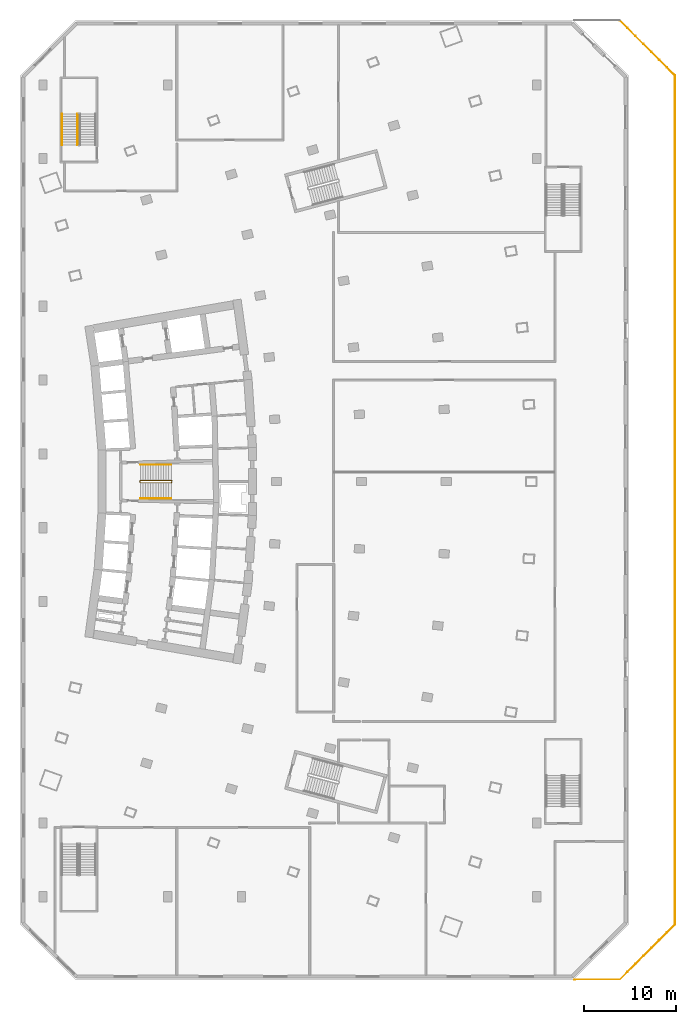
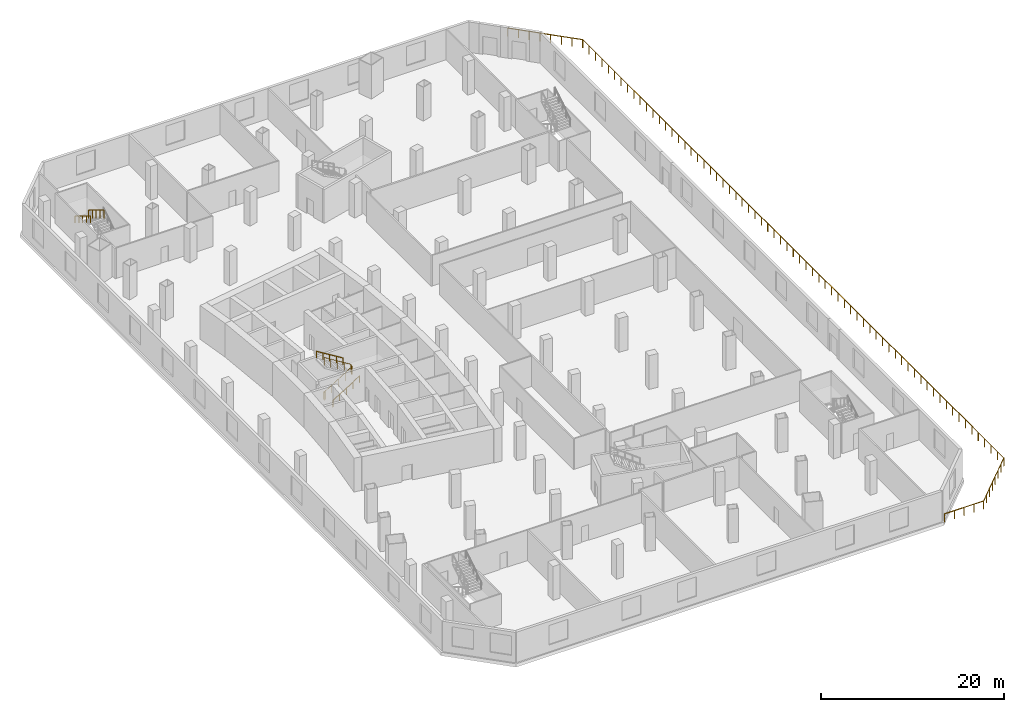
# One storey, part 12 of 14: 6 railings.
"""IFC4 building model written with IfcOpenShell, lengths in metres."""

from ifc_helpers import new_model, si_unit, direction, frame, origin, origin_with_axes, origin_2d, place, context, subcontext, project, spatial, rectangle, extrude, material, type_object, element, save


model = new_model("IFC4")

# Units and contexts
model_context = context("Model", 3, precision=1e-05, world=origin(), true_north=direction((0.0, 1.0)))
body_context = subcontext(model_context, "Body", "Model", "MODEL_VIEW")
ifc_project = project(units=[si_unit("LENGTHUNIT", "METRE"), si_unit("AREAUNIT", "SQUARE_METRE"), si_unit("VOLUMEUNIT", "CUBIC_METRE"), si_unit("PLANEANGLEUNIT", "RADIAN"), si_unit("MASSUNIT", "GRAM", prefix="KILO")], contexts=[model_context])

# Site, building, storey
site_placement = place(None, origin())
site = spatial("IfcSite", under=ifc_project, at=site_placement, CompositionType="ELEMENT")
building_placement = place(site_placement, origin())
building = spatial("IfcBuilding", under=site, at=building_placement, Name="Alderwake Tower", CompositionType="ELEMENT")
storey_placement = place(building_placement, frame((0.0, 0.0, 23.0)))
storey = spatial("IfcBuildingStorey", under=building, at=storey_placement, Name="L04", CompositionType="ELEMENT", Elevation=23.0)

# Railings
ifc_material_1 = material(Name="Stainless steel 316 rail and posts", Category="steel")
railing_type_1 = type_object("IfcRailingType", Name="Balcony guard 1100", PredefinedType="GUARDRAIL", material=ifc_material_1)
railing_1_placement = place(storey_placement, frame((73.0, 111.0, 0.0)))
element("IfcRailing", 1, at=railing_1_placement, inside=storey, type_object=railing_type_1, Name="Guard terrace TR-L03-1", PredefinedType="GUARDRAIL", context=body_context, shape_type="SweptSolid", body=[
    extrude(rectangle(XDim=0.048095703125, YDim=0.048095703125, at=origin_2d()), frame((0.0, 0.0, 1.076171875), z_axis=(0.707106781187, -0.707106781187, 0.0), x_axis=(0.707106781187, 0.707106781187, 0.0)), (0.0, 0.0, 1.0), 8.4853515625),
    extrude(rectangle(XDim=0.048095703125, YDim=0.048095703125, at=origin_2d()), frame((6.0, -6.0, 1.076171875), z_axis=(0.0, -1.0, 0.0), x_axis=(1.0, 0.0, 0.0)), (0.0, 0.0, 1.0), 92.0),
    extrude(rectangle(XDim=0.048095703125, YDim=0.048095703125, at=origin_2d()), frame((6.0, -98.0, 1.076171875), z_axis=(-0.707106781187, -0.707106781187, 0.0), x_axis=(0.707106781187, -0.707106781187, 0.0)), (0.0, 0.0, 1.0), 8.4853515625),
    extrude(rectangle(XDim=0.048095703125, YDim=0.048095703125, at=origin_2d()), frame((0.0, -104.0, 1.076171875), z_axis=(-1.0, 0.0, 0.0), x_axis=(0.0, -1.0, 0.0)), (0.0, 0.0, 1.0), 4.92919921875),
    extrude(rectangle(XDim=0.0419921875, YDim=0.0419921875, at=origin_2d()), frame((0.0, 0.0, 0.0), z_axis=(0.0, 0.0, 1.0), x_axis=(0.707106781187, -0.707106781187, 0.0)), (0.0, 0.0, 1.0), 1.052001953125),
    extrude(rectangle(XDim=0.0419921875, YDim=0.0419921875, at=origin_2d()), frame((0.857177734375, -0.857177734375, 0.0), z_axis=(0.0, 0.0, 1.0), x_axis=(0.707106781187, -0.707106781187, 0.0)), (0.0, 0.0, 1.0), 1.052001953125),
    extrude(rectangle(XDim=0.0419921875, YDim=0.0419921875, at=origin_2d()), frame((1.71435546875, -1.71435546875, 0.0), z_axis=(0.0, 0.0, 1.0), x_axis=(0.707106781187, -0.707106781187, 0.0)), (0.0, 0.0, 1.0), 1.052001953125),
    extrude(rectangle(XDim=0.0419921875, YDim=0.0419921875, at=origin_2d()), frame((2.571533203125, -2.571533203125, 0.0), z_axis=(0.0, 0.0, 1.0), x_axis=(0.707106781187, -0.707106781187, 0.0)), (0.0, 0.0, 1.0), 1.052001953125),
    extrude(rectangle(XDim=0.0419921875, YDim=0.0419921875, at=origin_2d()), frame((3.428466796875, -3.428466796875, 0.0), z_axis=(0.0, 0.0, 1.0), x_axis=(0.707106781187, -0.707106781187, 0.0)), (0.0, 0.0, 1.0), 1.052001953125),
    extrude(rectangle(XDim=0.0419921875, YDim=0.0419921875, at=origin_2d()), frame((4.28564453125, -4.28564453125, 0.0), z_axis=(0.0, 0.0, 1.0), x_axis=(0.707106781187, -0.707106781187, 0.0)), (0.0, 0.0, 1.0), 1.052001953125),
    extrude(rectangle(XDim=0.0419921875, YDim=0.0419921875, at=origin_2d()), frame((5.142822265625, -5.142822265625, 0.0), z_axis=(0.0, 0.0, 1.0), x_axis=(0.707106781187, -0.707106781187, 0.0)), (0.0, 0.0, 1.0), 1.052001953125),
    extrude(rectangle(XDim=0.0419921875, YDim=0.0419921875, at=origin_2d()), frame((6.0, -6.0, 0.0), z_axis=(0.0, 0.0, 1.0), x_axis=(0.0, -1.0, 0.0)), (0.0, 0.0, 1.0), 1.052001953125),
    extrude(rectangle(XDim=0.0419921875, YDim=0.0419921875, at=origin_2d()), frame((6.0, -7.39404296875, 0.0), z_axis=(0.0, 0.0, 1.0), x_axis=(0.0, -1.0, 0.0)), (0.0, 0.0, 1.0), 1.052001953125),
    extrude(rectangle(XDim=0.0419921875, YDim=0.0419921875, at=origin_2d()), frame((6.0, -8.787841796875, 0.0), z_axis=(0.0, 0.0, 1.0), x_axis=(0.0, -1.0, 0.0)), (0.0, 0.0, 1.0), 1.052001953125),
    extrude(rectangle(XDim=0.0419921875, YDim=0.0419921875, at=origin_2d()), frame((6.0, -10.181884765625, 0.0), z_axis=(0.0, 0.0, 1.0), x_axis=(0.0, -1.0, 0.0)), (0.0, 0.0, 1.0), 1.052001953125),
    extrude(rectangle(XDim=0.0419921875, YDim=0.0419921875, at=origin_2d()), frame((6.0, -11.57568359375, 0.0), z_axis=(0.0, 0.0, 1.0), x_axis=(0.0, -1.0, 0.0)), (0.0, 0.0, 1.0), 1.052001953125),
    extrude(rectangle(XDim=0.0419921875, YDim=0.0419921875, at=origin_2d()), frame((6.0, -12.9697265625, 0.0), z_axis=(0.0, 0.0, 1.0), x_axis=(0.0, -1.0, 0.0)), (0.0, 0.0, 1.0), 1.052001953125),
    extrude(rectangle(XDim=0.0419921875, YDim=0.0419921875, at=origin_2d()), frame((6.0, -14.363525390625, 0.0), z_axis=(0.0, 0.0, 1.0), x_axis=(0.0, -1.0, 0.0)), (0.0, 0.0, 1.0), 1.052001953125),
    extrude(rectangle(XDim=0.0419921875, YDim=0.0419921875, at=origin_2d()), frame((6.0, -15.757568359375, 0.0), z_axis=(0.0, 0.0, 1.0), x_axis=(0.0, -1.0, 0.0)), (0.0, 0.0, 1.0), 1.052001953125),
    extrude(rectangle(XDim=0.0419921875, YDim=0.0419921875, at=origin_2d()), frame((6.0, -17.151611328125, 0.0), z_axis=(0.0, 0.0, 1.0), x_axis=(0.0, -1.0, 0.0)), (0.0, 0.0, 1.0), 1.052001953125),
    extrude(rectangle(XDim=0.0419921875, YDim=0.0419921875, at=origin_2d()), frame((6.0, -18.54541015625, 0.0), z_axis=(0.0, 0.0, 1.0), x_axis=(0.0, -1.0, 0.0)), (0.0, 0.0, 1.0), 1.052001953125),
    extrude(rectangle(XDim=0.0419921875, YDim=0.0419921875, at=origin_2d()), frame((6.0, -19.939453125, 0.0), z_axis=(0.0, 0.0, 1.0), x_axis=(0.0, -1.0, 0.0)), (0.0, 0.0, 1.0), 1.052001953125),
    extrude(rectangle(XDim=0.0419921875, YDim=0.0419921875, at=origin_2d()), frame((6.0, -21.333251953125, 0.0), z_axis=(0.0, 0.0, 1.0), x_axis=(0.0, -1.0, 0.0)), (0.0, 0.0, 1.0), 1.052001953125),
    extrude(rectangle(XDim=0.0419921875, YDim=0.0419921875, at=origin_2d()), frame((6.0, -22.727294921875, 0.0), z_axis=(0.0, 0.0, 1.0), x_axis=(0.0, -1.0, 0.0)), (0.0, 0.0, 1.0), 1.052001953125),
    extrude(rectangle(XDim=0.0419921875, YDim=0.0419921875, at=origin_2d()), frame((6.0, -24.12109375, 0.0), z_axis=(0.0, 0.0, 1.0), x_axis=(0.0, -1.0, 0.0)), (0.0, 0.0, 1.0), 1.052001953125),
    extrude(rectangle(XDim=0.0419921875, YDim=0.0419921875, at=origin_2d()), frame((6.0, -25.51513671875, 0.0), z_axis=(0.0, 0.0, 1.0), x_axis=(0.0, -1.0, 0.0)), (0.0, 0.0, 1.0), 1.052001953125),
    extrude(rectangle(XDim=0.0419921875, YDim=0.0419921875, at=origin_2d()), frame((6.0, -26.9091796875, 0.0), z_axis=(0.0, 0.0, 1.0), x_axis=(0.0, -1.0, 0.0)), (0.0, 0.0, 1.0), 1.052001953125),
    extrude(rectangle(XDim=0.0419921875, YDim=0.0419921875, at=origin_2d()), frame((6.0, -28.302978515625, 0.0), z_axis=(0.0, 0.0, 1.0), x_axis=(0.0, -1.0, 0.0)), (0.0, 0.0, 1.0), 1.052001953125),
    extrude(rectangle(XDim=0.0419921875, YDim=0.0419921875, at=origin_2d()), frame((6.0, -29.697021484375, 0.0), z_axis=(0.0, 0.0, 1.0), x_axis=(0.0, -1.0, 0.0)), (0.0, 0.0, 1.0), 1.052001953125),
    extrude(rectangle(XDim=0.0419921875, YDim=0.0419921875, at=origin_2d()), frame((6.0, -31.0908203125, 0.0), z_axis=(0.0, 0.0, 1.0), x_axis=(0.0, -1.0, 0.0)), (0.0, 0.0, 1.0), 1.052001953125),
    extrude(rectangle(XDim=0.0419921875, YDim=0.0419921875, at=origin_2d()), frame((6.0, -32.48486328125, 0.0), z_axis=(0.0, 0.0, 1.0), x_axis=(0.0, -1.0, 0.0)), (0.0, 0.0, 1.0), 1.052001953125),
    extrude(rectangle(XDim=0.0419921875, YDim=0.0419921875, at=origin_2d()), frame((6.0, -33.87890625, 0.0), z_axis=(0.0, 0.0, 1.0), x_axis=(0.0, -1.0, 0.0)), (0.0, 0.0, 1.0), 1.052001953125),
    extrude(rectangle(XDim=0.0419921875, YDim=0.0419921875, at=origin_2d()), frame((6.0, -35.272705078125, 0.0), z_axis=(0.0, 0.0, 1.0), x_axis=(0.0, -1.0, 0.0)), (0.0, 0.0, 1.0), 1.052001953125),
    extrude(rectangle(XDim=0.0419921875, YDim=0.0419921875, at=origin_2d()), frame((6.0, -36.666748046875, 0.0), z_axis=(0.0, 0.0, 1.0), x_axis=(0.0, -1.0, 0.0)), (0.0, 0.0, 1.0), 1.052001953125),
    extrude(rectangle(XDim=0.0419921875, YDim=0.0419921875, at=origin_2d()), frame((6.0, -38.060546875, 0.0), z_axis=(0.0, 0.0, 1.0), x_axis=(0.0, -1.0, 0.0)), (0.0, 0.0, 1.0), 1.052001953125),
    extrude(rectangle(XDim=0.0419921875, YDim=0.0419921875, at=origin_2d()), frame((6.0, -39.45458984375, 0.0), z_axis=(0.0, 0.0, 1.0), x_axis=(0.0, -1.0, 0.0)), (0.0, 0.0, 1.0), 1.052001953125),
    extrude(rectangle(XDim=0.0419921875, YDim=0.0419921875, at=origin_2d()), frame((6.0, -40.848388671875, 0.0), z_axis=(0.0, 0.0, 1.0), x_axis=(0.0, -1.0, 0.0)), (0.0, 0.0, 1.0), 1.052001953125),
    extrude(rectangle(XDim=0.0419921875, YDim=0.0419921875, at=origin_2d()), frame((6.0, -42.242431640625, 0.0), z_axis=(0.0, 0.0, 1.0), x_axis=(0.0, -1.0, 0.0)), (0.0, 0.0, 1.0), 1.052001953125),
    extrude(rectangle(XDim=0.0419921875, YDim=0.0419921875, at=origin_2d()), frame((6.0, -43.636474609375, 0.0), z_axis=(0.0, 0.0, 1.0), x_axis=(0.0, -1.0, 0.0)), (0.0, 0.0, 1.0), 1.052001953125),
    extrude(rectangle(XDim=0.0419921875, YDim=0.0419921875, at=origin_2d()), frame((6.0, -45.0302734375, 0.0), z_axis=(0.0, 0.0, 1.0), x_axis=(0.0, -1.0, 0.0)), (0.0, 0.0, 1.0), 1.052001953125),
    extrude(rectangle(XDim=0.0419921875, YDim=0.0419921875, at=origin_2d()), frame((6.0, -46.42431640625, 0.0), z_axis=(0.0, 0.0, 1.0), x_axis=(0.0, -1.0, 0.0)), (0.0, 0.0, 1.0), 1.052001953125),
    extrude(rectangle(XDim=0.0419921875, YDim=0.0419921875, at=origin_2d()), frame((6.0, -47.818115234375, 0.0), z_axis=(0.0, 0.0, 1.0), x_axis=(0.0, -1.0, 0.0)), (0.0, 0.0, 1.0), 1.052001953125),
    extrude(rectangle(XDim=0.0419921875, YDim=0.0419921875, at=origin_2d()), frame((6.0, -49.212158203125, 0.0), z_axis=(0.0, 0.0, 1.0), x_axis=(0.0, -1.0, 0.0)), (0.0, 0.0, 1.0), 1.052001953125),
    extrude(rectangle(XDim=0.0419921875, YDim=0.0419921875, at=origin_2d()), frame((6.0, -50.60595703125, 0.0), z_axis=(0.0, 0.0, 1.0), x_axis=(0.0, -1.0, 0.0)), (0.0, 0.0, 1.0), 1.052001953125),
    extrude(rectangle(XDim=0.0419921875, YDim=0.0419921875, at=origin_2d()), frame((6.0, -52.0, 0.0), z_axis=(0.0, 0.0, 1.0), x_axis=(0.0, -1.0, 0.0)), (0.0, 0.0, 1.0), 1.052001953125),
    extrude(rectangle(XDim=0.0419921875, YDim=0.0419921875, at=origin_2d()), frame((6.0, -53.39404296875, 0.0), z_axis=(0.0, 0.0, 1.0), x_axis=(0.0, -1.0, 0.0)), (0.0, 0.0, 1.0), 1.052001953125),
    extrude(rectangle(XDim=0.0419921875, YDim=0.0419921875, at=origin_2d()), frame((6.0, -54.787841796875, 0.0), z_axis=(0.0, 0.0, 1.0), x_axis=(0.0, -1.0, 0.0)), (0.0, 0.0, 1.0), 1.052001953125),
    extrude(rectangle(XDim=0.0419921875, YDim=0.0419921875, at=origin_2d()), frame((6.0, -56.181884765625, 0.0), z_axis=(0.0, 0.0, 1.0), x_axis=(0.0, -1.0, 0.0)), (0.0, 0.0, 1.0), 1.052001953125),
    extrude(rectangle(XDim=0.0419921875, YDim=0.0419921875, at=origin_2d()), frame((6.0, -57.57568359375, 0.0), z_axis=(0.0, 0.0, 1.0), x_axis=(0.0, -1.0, 0.0)), (0.0, 0.0, 1.0), 1.052001953125),
    extrude(rectangle(XDim=0.0419921875, YDim=0.0419921875, at=origin_2d()), frame((6.0, -58.9697265625, 0.0), z_axis=(0.0, 0.0, 1.0), x_axis=(0.0, -1.0, 0.0)), (0.0, 0.0, 1.0), 1.052001953125),
    extrude(rectangle(XDim=0.0419921875, YDim=0.0419921875, at=origin_2d()), frame((6.0, -60.363525390625, 0.0), z_axis=(0.0, 0.0, 1.0), x_axis=(0.0, -1.0, 0.0)), (0.0, 0.0, 1.0), 1.052001953125),
    extrude(rectangle(XDim=0.0419921875, YDim=0.0419921875, at=origin_2d()), frame((6.0, -61.757568359375, 0.0), z_axis=(0.0, 0.0, 1.0), x_axis=(0.0, -1.0, 0.0)), (0.0, 0.0, 1.0), 1.052001953125),
    extrude(rectangle(XDim=0.0419921875, YDim=0.0419921875, at=origin_2d()), frame((6.0, -63.151611328125, 0.0), z_axis=(0.0, 0.0, 1.0), x_axis=(0.0, -1.0, 0.0)), (0.0, 0.0, 1.0), 1.052001953125),
    extrude(rectangle(XDim=0.0419921875, YDim=0.0419921875, at=origin_2d()), frame((6.0, -64.54541015625, 0.0), z_axis=(0.0, 0.0, 1.0), x_axis=(0.0, -1.0, 0.0)), (0.0, 0.0, 1.0), 1.052001953125),
    extrude(rectangle(XDim=0.0419921875, YDim=0.0419921875, at=origin_2d()), frame((6.0, -65.939453125, 0.0), z_axis=(0.0, 0.0, 1.0), x_axis=(0.0, -1.0, 0.0)), (0.0, 0.0, 1.0), 1.052001953125),
    extrude(rectangle(XDim=0.0419921875, YDim=0.0419921875, at=origin_2d()), frame((6.0, -67.333251953125, 0.0), z_axis=(0.0, 0.0, 1.0), x_axis=(0.0, -1.0, 0.0)), (0.0, 0.0, 1.0), 1.052001953125),
    extrude(rectangle(XDim=0.0419921875, YDim=0.0419921875, at=origin_2d()), frame((6.0, -68.727294921875, 0.0), z_axis=(0.0, 0.0, 1.0), x_axis=(0.0, -1.0, 0.0)), (0.0, 0.0, 1.0), 1.052001953125),
    extrude(rectangle(XDim=0.0419921875, YDim=0.0419921875, at=origin_2d()), frame((6.0, -70.12109375, 0.0), z_axis=(0.0, 0.0, 1.0), x_axis=(0.0, -1.0, 0.0)), (0.0, 0.0, 1.0), 1.052001953125),
    extrude(rectangle(XDim=0.0419921875, YDim=0.0419921875, at=origin_2d()), frame((6.0, -71.51513671875, 0.0), z_axis=(0.0, 0.0, 1.0), x_axis=(0.0, -1.0, 0.0)), (0.0, 0.0, 1.0), 1.052001953125),
    extrude(rectangle(XDim=0.0419921875, YDim=0.0419921875, at=origin_2d()), frame((6.0, -72.9091796875, 0.0), z_axis=(0.0, 0.0, 1.0), x_axis=(0.0, -1.0, 0.0)), (0.0, 0.0, 1.0), 1.052001953125),
    extrude(rectangle(XDim=0.0419921875, YDim=0.0419921875, at=origin_2d()), frame((6.0, -74.302978515625, 0.0), z_axis=(0.0, 0.0, 1.0), x_axis=(0.0, -1.0, 0.0)), (0.0, 0.0, 1.0), 1.052001953125),
    extrude(rectangle(XDim=0.0419921875, YDim=0.0419921875, at=origin_2d()), frame((6.0, -75.697021484375, 0.0), z_axis=(0.0, 0.0, 1.0), x_axis=(0.0, -1.0, 0.0)), (0.0, 0.0, 1.0), 1.052001953125),
    extrude(rectangle(XDim=0.0419921875, YDim=0.0419921875, at=origin_2d()), frame((6.0, -77.0908203125, 0.0), z_axis=(0.0, 0.0, 1.0), x_axis=(0.0, -1.0, 0.0)), (0.0, 0.0, 1.0), 1.052001953125),
    extrude(rectangle(XDim=0.0419921875, YDim=0.0419921875, at=origin_2d()), frame((6.0, -78.48486328125, 0.0), z_axis=(0.0, 0.0, 1.0), x_axis=(0.0, -1.0, 0.0)), (0.0, 0.0, 1.0), 1.052001953125),
    extrude(rectangle(XDim=0.0419921875, YDim=0.0419921875, at=origin_2d()), frame((6.0, -79.87890625, 0.0), z_axis=(0.0, 0.0, 1.0), x_axis=(0.0, -1.0, 0.0)), (0.0, 0.0, 1.0), 1.052001953125),
    extrude(rectangle(XDim=0.0419921875, YDim=0.0419921875, at=origin_2d()), frame((6.0, -81.272705078125, 0.0), z_axis=(0.0, 0.0, 1.0), x_axis=(0.0, -1.0, 0.0)), (0.0, 0.0, 1.0), 1.052001953125),
    extrude(rectangle(XDim=0.0419921875, YDim=0.0419921875, at=origin_2d()), frame((6.0, -82.666748046875, 0.0), z_axis=(0.0, 0.0, 1.0), x_axis=(0.0, -1.0, 0.0)), (0.0, 0.0, 1.0), 1.052001953125),
    extrude(rectangle(XDim=0.0419921875, YDim=0.0419921875, at=origin_2d()), frame((6.0, -84.060546875, 0.0), z_axis=(0.0, 0.0, 1.0), x_axis=(0.0, -1.0, 0.0)), (0.0, 0.0, 1.0), 1.052001953125),
    extrude(rectangle(XDim=0.0419921875, YDim=0.0419921875, at=origin_2d()), frame((6.0, -85.45458984375, 0.0), z_axis=(0.0, 0.0, 1.0), x_axis=(0.0, -1.0, 0.0)), (0.0, 0.0, 1.0), 1.052001953125),
    extrude(rectangle(XDim=0.0419921875, YDim=0.0419921875, at=origin_2d()), frame((6.0, -86.848388671875, 0.0), z_axis=(0.0, 0.0, 1.0), x_axis=(0.0, -1.0, 0.0)), (0.0, 0.0, 1.0), 1.052001953125),
    extrude(rectangle(XDim=0.0419921875, YDim=0.0419921875, at=origin_2d()), frame((6.0, -88.242431640625, 0.0), z_axis=(0.0, 0.0, 1.0), x_axis=(0.0, -1.0, 0.0)), (0.0, 0.0, 1.0), 1.052001953125),
    extrude(rectangle(XDim=0.0419921875, YDim=0.0419921875, at=origin_2d()), frame((6.0, -89.636474609375, 0.0), z_axis=(0.0, 0.0, 1.0), x_axis=(0.0, -1.0, 0.0)), (0.0, 0.0, 1.0), 1.052001953125),
    extrude(rectangle(XDim=0.0419921875, YDim=0.0419921875, at=origin_2d()), frame((6.0, -91.0302734375, 0.0), z_axis=(0.0, 0.0, 1.0), x_axis=(0.0, -1.0, 0.0)), (0.0, 0.0, 1.0), 1.052001953125),
    extrude(rectangle(XDim=0.0419921875, YDim=0.0419921875, at=origin_2d()), frame((6.0, -92.42431640625, 0.0), z_axis=(0.0, 0.0, 1.0), x_axis=(0.0, -1.0, 0.0)), (0.0, 0.0, 1.0), 1.052001953125),
    extrude(rectangle(XDim=0.0419921875, YDim=0.0419921875, at=origin_2d()), frame((6.0, -93.818115234375, 0.0), z_axis=(0.0, 0.0, 1.0), x_axis=(0.0, -1.0, 0.0)), (0.0, 0.0, 1.0), 1.052001953125),
    extrude(rectangle(XDim=0.0419921875, YDim=0.0419921875, at=origin_2d()), frame((6.0, -95.212158203125, 0.0), z_axis=(0.0, 0.0, 1.0), x_axis=(0.0, -1.0, 0.0)), (0.0, 0.0, 1.0), 1.052001953125),
    extrude(rectangle(XDim=0.0419921875, YDim=0.0419921875, at=origin_2d()), frame((6.0, -96.60595703125, 0.0), z_axis=(0.0, 0.0, 1.0), x_axis=(0.0, -1.0, 0.0)), (0.0, 0.0, 1.0), 1.052001953125),
    extrude(rectangle(XDim=0.0419921875, YDim=0.0419921875, at=origin_2d()), frame((6.0, -98.0, 0.0), z_axis=(0.0, 0.0, 1.0), x_axis=(-0.707106781187, -0.707106781187, 0.0)), (0.0, 0.0, 1.0), 1.052001953125),
    extrude(rectangle(XDim=0.0419921875, YDim=0.0419921875, at=origin_2d()), frame((5.142822265625, -98.857177734375, 0.0), z_axis=(0.0, 0.0, 1.0), x_axis=(-0.707106781187, -0.707106781187, 0.0)), (0.0, 0.0, 1.0), 1.052001953125),
    extrude(rectangle(XDim=0.0419921875, YDim=0.0419921875, at=origin_2d()), frame((4.28564453125, -99.71435546875, 0.0), z_axis=(0.0, 0.0, 1.0), x_axis=(-0.707106781187, -0.707106781187, 0.0)), (0.0, 0.0, 1.0), 1.052001953125),
    extrude(rectangle(XDim=0.0419921875, YDim=0.0419921875, at=origin_2d()), frame((3.428466796875, -100.571533203125, 0.0), z_axis=(0.0, 0.0, 1.0), x_axis=(-0.707106781187, -0.707106781187, 0.0)), (0.0, 0.0, 1.0), 1.052001953125),
    extrude(rectangle(XDim=0.0419921875, YDim=0.0419921875, at=origin_2d()), frame((2.571533203125, -101.428466796875, 0.0), z_axis=(0.0, 0.0, 1.0), x_axis=(-0.707106781187, -0.707106781187, 0.0)), (0.0, 0.0, 1.0), 1.052001953125),
    extrude(rectangle(XDim=0.0419921875, YDim=0.0419921875, at=origin_2d()), frame((1.71435546875, -102.28564453125, 0.0), z_axis=(0.0, 0.0, 1.0), x_axis=(-0.707106781187, -0.707106781187, 0.0)), (0.0, 0.0, 1.0), 1.052001953125),
    extrude(rectangle(XDim=0.0419921875, YDim=0.0419921875, at=origin_2d()), frame((0.857177734375, -103.142822265625, 0.0), z_axis=(0.0, 0.0, 1.0), x_axis=(-0.707106781187, -0.707106781187, 0.0)), (0.0, 0.0, 1.0), 1.052001953125),
    extrude(rectangle(XDim=0.0419921875, YDim=0.0419921875, at=origin_2d()), frame((0.0, -104.0, 0.0), z_axis=(0.0, 0.0, 1.0), x_axis=(-1.0, 0.0, 0.0)), (0.0, 0.0, 1.0), 1.052001953125),
    extrude(rectangle(XDim=0.0419921875, YDim=0.0419921875, at=origin_2d()), frame((-1.232421875, -104.0, 0.0), z_axis=(0.0, 0.0, 1.0), x_axis=(-1.0, 0.0, 0.0)), (0.0, 0.0, 1.0), 1.052001953125),
    extrude(rectangle(XDim=0.0419921875, YDim=0.0419921875, at=origin_2d()), frame((-2.464599609375, -104.0, 0.0), z_axis=(0.0, 0.0, 1.0), x_axis=(-1.0, 0.0, 0.0)), (0.0, 0.0, 1.0), 1.052001953125),
    extrude(rectangle(XDim=0.0419921875, YDim=0.0419921875, at=origin_2d()), frame((-3.69677734375, -104.0, 0.0), z_axis=(0.0, 0.0, 1.0), x_axis=(-1.0, 0.0, 0.0)), (0.0, 0.0, 1.0), 1.052001953125),
    extrude(rectangle(XDim=0.0419921875, YDim=0.0419921875, at=origin_2d()), frame((-4.92919921875, -104.0, 0.0), z_axis=(0.0, 0.0, 1.0), x_axis=(-1.0, 0.0, 0.0)), (0.0, 0.0, 1.0), 1.052001953125),
])
ifc_material_2 = material(Name="Stainless steel guard", Category="steel")
railing_type_2 = type_object("IfcRailingType", Name="Stair guard 1100", PredefinedType="GUARDRAIL", material=ifc_material_2)
railing_2_placement = place(storey_placement, frame((20.989990234375, 60.925048828125, 0.0)))
element("IfcRailing", 2, at=railing_2_placement, inside=storey, type_object=railing_type_2, Name="L04 ST-B stair guard 1", PredefinedType="GUARDRAIL", context=body_context, shape_type="SweptSolid", body=[
    extrude(rectangle(XDim=0.048095703125, YDim=0.048095703125, at=origin_2d()), frame((0.0, 0.0, 1.076171875), z_axis=(0.0, 1.0, 0.0), x_axis=(-1.0, 0.0, 0.0)), (0.0, 0.0, 1.0), 0.14990234375),
    extrude(rectangle(XDim=0.048095703125, YDim=0.048095703125, at=origin_2d()), frame((0.0, 0.14990234375, 1.076171875), z_axis=(0.185944045274, -0.742869136974, 0.643094283413), x_axis=(0.970072785993, 0.242814311512, 0.0)), (0.0, 0.0, 1.0), 0.26904296875),
    extrude(rectangle(XDim=0.048095703125, YDim=0.048095703125, at=origin_2d()), frame((0.050048828125, -0.050048828125, 1.2490234375), z_axis=(0.850606129759, 0.0, 0.525803396734), x_axis=(0.0, 1.0, 0.0)), (0.0, 0.0, 1.0), 3.949951171875),
    extrude(rectangle(XDim=0.048095703125, YDim=0.048095703125, at=origin_2d()), frame((3.409912109375, -0.050048828125, 3.326171875), z_axis=(0.707106781187, 0.707106781187, 0.0), x_axis=(-0.707106781187, 0.707106781187, 0.0)), (0.0, 0.0, 1.0), 0.07080078125),
    extrude(rectangle(XDim=0.048095703125, YDim=0.048095703125, at=origin_2d()), frame((3.4599609375, 0.0, 3.326171875), z_axis=(0.0, 1.0, 0.0), x_axis=(-1.0, 0.0, 0.0)), (0.0, 0.0, 1.0), 0.14990234375),
    extrude(rectangle(XDim=0.048095703125, YDim=0.048095703125, at=origin_2d()), frame((3.4599609375, 0.14990234375, 3.326171875), z_axis=(-0.267629722418, 0.267629722418, 0.925607186314), x_axis=(-0.707106781187, -0.707106781187, 0.0)), (0.0, 0.0, 1.0), 0.18701171875),
    extrude(rectangle(XDim=0.048095703125, YDim=0.048095703125, at=origin_2d()), frame((3.409912109375, 0.199951171875, 3.4990234375), z_axis=(-0.850606129759, 0.0, 0.525803396734), x_axis=(0.0, -1.0, 0.0)), (0.0, 0.0, 1.0), 3.949951171875),
    extrude(rectangle(XDim=0.0419921875, YDim=0.0419921875, at=origin_2d()), frame((0.0, 0.0, 0.0), z_axis=(0.0, 0.0, 1.0), x_axis=(0.0, 1.0, 0.0)), (0.0, 0.0, 1.0), 1.052001953125),
    extrude(rectangle(XDim=0.0419921875, YDim=0.0419921875, at=origin_2d()), frame((0.0, 0.14990234375, 0.0), z_axis=(0.0, 0.0, 1.0), x_axis=(0.242814311512, -0.970072785993, 0.0)), (0.0, 0.0, 1.0), 1.052001953125),
    extrude(rectangle(XDim=0.0419921875, YDim=0.0419921875, at=origin_2d()), frame((0.050048828125, -0.050048828125, 0.173095703125), z_axis=(0.0, 0.0, 1.0), x_axis=(1.0, 0.0, 0.0)), (0.0, 0.0, 1.0), 1.052001953125),
    extrude(rectangle(XDim=0.0419921875, YDim=0.0419921875, at=origin_2d()), frame((0.89013671875, -0.050048828125, 0.6923828125), z_axis=(0.0, 0.0, 1.0), x_axis=(1.0, 0.0, 0.0)), (0.0, 0.0, 1.0), 1.052001953125),
    extrude(rectangle(XDim=0.0419921875, YDim=0.0419921875, at=origin_2d()), frame((1.72998046875, -0.050048828125, 1.21142578125), z_axis=(0.0, 0.0, 1.0), x_axis=(1.0, 0.0, 0.0)), (0.0, 0.0, 1.0), 1.052001953125),
    extrude(rectangle(XDim=0.0419921875, YDim=0.0419921875, at=origin_2d()), frame((2.56982421875, -0.050048828125, 1.730712890625), z_axis=(0.0, 0.0, 1.0), x_axis=(1.0, 0.0, 0.0)), (0.0, 0.0, 1.0), 1.052001953125),
    extrude(rectangle(XDim=0.0419921875, YDim=0.0419921875, at=origin_2d()), frame((3.409912109375, -0.050048828125, 2.25), z_axis=(0.0, 0.0, 1.0), x_axis=(0.707106781187, 0.707106781187, 0.0)), (0.0, 0.0, 1.0), 1.052001953125),
    extrude(rectangle(XDim=0.0419921875, YDim=0.0419921875, at=origin_2d()), frame((3.4599609375, 0.0, 2.25), z_axis=(0.0, 0.0, 1.0), x_axis=(0.0, 1.0, 0.0)), (0.0, 0.0, 1.0), 1.052001953125),
    extrude(rectangle(XDim=0.0419921875, YDim=0.0419921875, at=origin_2d()), frame((3.4599609375, 0.14990234375, 2.25), z_axis=(0.0, 0.0, 1.0), x_axis=(-0.707106781187, 0.707106781187, 0.0)), (0.0, 0.0, 1.0), 1.052001953125),
    extrude(rectangle(XDim=0.0419921875, YDim=0.0419921875, at=origin_2d()), frame((3.409912109375, 0.199951171875, 2.423095703125), z_axis=(0.0, 0.0, 1.0), x_axis=(-1.0, 0.0, 0.0)), (0.0, 0.0, 1.0), 1.052001953125),
    extrude(rectangle(XDim=0.0419921875, YDim=0.0419921875, at=origin_2d()), frame((2.56982421875, 0.199951171875, 2.9423828125), z_axis=(0.0, 0.0, 1.0), x_axis=(-1.0, 0.0, 0.0)), (0.0, 0.0, 1.0), 1.052001953125),
    extrude(rectangle(XDim=0.0419921875, YDim=0.0419921875, at=origin_2d()), frame((1.72998046875, 0.199951171875, 3.46142578125), z_axis=(0.0, 0.0, 1.0), x_axis=(-1.0, 0.0, 0.0)), (0.0, 0.0, 1.0), 1.052001953125),
    extrude(rectangle(XDim=0.0419921875, YDim=0.0419921875, at=origin_2d()), frame((0.89013671875, 0.199951171875, 3.980712890625), z_axis=(0.0, 0.0, 1.0), x_axis=(-1.0, 0.0, 0.0)), (0.0, 0.0, 1.0), 1.052001953125),
    extrude(rectangle(XDim=0.0419921875, YDim=0.0419921875, at=origin_2d()), frame((0.050048828125, 0.199951171875, 4.5), z_axis=(0.0, 0.0, 1.0), x_axis=(-1.0, 0.0, 0.0)), (0.0, 0.0, 1.0), 1.052001953125),
])
railing_3_placement = place(storey_placement, frame((14.25, 100.860107421875, 2.423095703125)))
element("IfcRailing", 3, at=railing_3_placement, inside=storey, type_object=railing_type_2, Name="L04 ST-P2 stair guard 3", PredefinedType="GUARDRAIL", context=body_context, shape_type="SweptSolid", body=[
    extrude(rectangle(XDim=0.048095703125, YDim=0.048095703125, at=origin_2d()), frame((0.0, 0.0, 1.076171875), z_axis=(0.0, -0.850623216509, 0.525775754039), x_axis=(1.0, 0.0, 0.0)), (0.0, 0.0, 1.0), 3.9501953125),
    extrude(rectangle(XDim=0.0419921875, YDim=0.0419921875, at=origin_2d()), frame((0.0, 0.0, 0.0), z_axis=(0.0, 0.0, 1.0), x_axis=(0.0, -1.0, 0.0)), (0.0, 0.0, 1.0), 1.052001953125),
    extrude(rectangle(XDim=0.0419921875, YDim=0.0419921875, at=origin_2d()), frame((0.0, -0.840087890625, 0.519287109375), z_axis=(0.0, 0.0, 1.0), x_axis=(0.0, -1.0, 0.0)), (0.0, 0.0, 1.0), 1.052001953125),
    extrude(rectangle(XDim=0.0419921875, YDim=0.0419921875, at=origin_2d()), frame((0.0, -1.68017578125, 1.03857421875), z_axis=(0.0, 0.0, 1.0), x_axis=(0.0, -1.0, 0.0)), (0.0, 0.0, 1.0), 1.052001953125),
    extrude(rectangle(XDim=0.0419921875, YDim=0.0419921875, at=origin_2d()), frame((0.0, -2.52001953125, 1.5576171875), z_axis=(0.0, 0.0, 1.0), x_axis=(0.0, -1.0, 0.0)), (0.0, 0.0, 1.0), 1.052001953125),
    extrude(rectangle(XDim=0.0419921875, YDim=0.0419921875, at=origin_2d()), frame((0.0, -3.360107421875, 2.076904296875), z_axis=(0.0, 0.0, 1.0), x_axis=(0.0, -1.0, 0.0)), (0.0, 0.0, 1.0), 1.052001953125),
])
ifc_material_3 = material(Name="Stainless steel handrail", Category="steel")
railing_type_3 = type_object("IfcRailingType", Name="Stair handrail 900", PredefinedType="HANDRAIL", material=ifc_material_3)
railing_4_placement = place(storey_placement, frame((21.0400390625, 59.175048828125, 0.173095703125)))
element("IfcRailing", 4, at=railing_4_placement, inside=storey, type_object=railing_type_3, Name="L04 ST-B stair handrail 1", PredefinedType="HANDRAIL", context=body_context, shape_type="SweptSolid", body=[
    extrude(rectangle(XDim=0.048095703125, YDim=0.048095703125, at=origin_2d()), frame((0.0, 0.0, 0.8759765625), z_axis=(0.850606129759, 0.0, 0.525803396734), x_axis=(0.0, 1.0, 0.0)), (0.0, 0.0, 1.0), 3.949951171875),
    extrude(rectangle(XDim=0.0419921875, YDim=0.0419921875, at=origin_2d()), origin_with_axes(), (0.0, 0.0, 1.0), 0.851806640625),
    extrude(rectangle(XDim=0.0419921875, YDim=0.0419921875, at=origin_2d()), frame((0.83984375, 0.0, 0.519287109375), z_axis=(0.0, 0.0, 1.0), x_axis=(1.0, 0.0, 0.0)), (0.0, 0.0, 1.0), 0.851806640625),
    extrude(rectangle(XDim=0.0419921875, YDim=0.0419921875, at=origin_2d()), frame((1.679931640625, 0.0, 1.03857421875), z_axis=(0.0, 0.0, 1.0), x_axis=(1.0, 0.0, 0.0)), (0.0, 0.0, 1.0), 0.851806640625),
    extrude(rectangle(XDim=0.0419921875, YDim=0.0419921875, at=origin_2d()), frame((2.52001953125, 0.0, 1.5576171875), z_axis=(0.0, 0.0, 1.0), x_axis=(1.0, 0.0, 0.0)), (0.0, 0.0, 1.0), 0.851806640625),
    extrude(rectangle(XDim=0.0419921875, YDim=0.0419921875, at=origin_2d()), frame((3.35986328125, 0.0, 2.076904296875), z_axis=(0.0, 0.0, 1.0), x_axis=(1.0, 0.0, 0.0)), (0.0, 0.0, 1.0), 0.851806640625),
])
railing_5_placement = place(storey_placement, frame((24.39990234375, 62.824951171875, 2.423095703125)))
element("IfcRailing", 5, at=railing_5_placement, inside=storey, type_object=railing_type_3, Name="L04 ST-B stair handrail 2", PredefinedType="HANDRAIL", context=body_context, shape_type="SweptSolid", body=[
    extrude(rectangle(XDim=0.048095703125, YDim=0.048095703125, at=origin_2d()), frame((0.0, 0.0, 0.8759765625), z_axis=(-0.850606129759, 0.0, 0.525803396734), x_axis=(0.0, -1.0, 0.0)), (0.0, 0.0, 1.0), 3.949951171875),
    extrude(rectangle(XDim=0.0419921875, YDim=0.0419921875, at=origin_2d()), frame((0.0, 0.0, 0.0), z_axis=(0.0, 0.0, 1.0), x_axis=(-1.0, 0.0, 0.0)), (0.0, 0.0, 1.0), 0.851806640625),
    extrude(rectangle(XDim=0.0419921875, YDim=0.0419921875, at=origin_2d()), frame((-0.83984375, 0.0, 0.519287109375), z_axis=(0.0, 0.0, 1.0), x_axis=(-1.0, 0.0, 0.0)), (0.0, 0.0, 1.0), 0.851806640625),
    extrude(rectangle(XDim=0.0419921875, YDim=0.0419921875, at=origin_2d()), frame((-1.679931640625, 0.0, 1.03857421875), z_axis=(0.0, 0.0, 1.0), x_axis=(-1.0, 0.0, 0.0)), (0.0, 0.0, 1.0), 0.851806640625),
    extrude(rectangle(XDim=0.0419921875, YDim=0.0419921875, at=origin_2d()), frame((-2.52001953125, 0.0, 1.5576171875), z_axis=(0.0, 0.0, 1.0), x_axis=(-1.0, 0.0, 0.0)), (0.0, 0.0, 1.0), 0.851806640625),
    extrude(rectangle(XDim=0.0419921875, YDim=0.0419921875, at=origin_2d()), frame((-3.35986328125, 0.0, 2.076904296875), z_axis=(0.0, 0.0, 1.0), x_axis=(-1.0, 0.0, 0.0)), (0.0, 0.0, 1.0), 0.851806640625),
])
railing_6_placement = place(storey_placement, frame((12.550048828125, 100.860107421875, 2.423095703125)))
element("IfcRailing", 6, at=railing_6_placement, inside=storey, type_object=railing_type_3, Name="L04 ST-P2 stair handrail 2", PredefinedType="HANDRAIL", context=body_context, shape_type="SweptSolid", body=[
    extrude(rectangle(XDim=0.048095703125, YDim=0.048095703125, at=origin_2d()), frame((0.0, 0.0, 0.8759765625), z_axis=(0.0, -0.850623216509, 0.525775754039), x_axis=(1.0, 0.0, 0.0)), (0.0, 0.0, 1.0), 3.9501953125),
    extrude(rectangle(XDim=0.0419921875, YDim=0.0419921875, at=origin_2d()), frame((0.0, 0.0, 0.0), z_axis=(0.0, 0.0, 1.0), x_axis=(0.0, -1.0, 0.0)), (0.0, 0.0, 1.0), 0.851806640625),
    extrude(rectangle(XDim=0.0419921875, YDim=0.0419921875, at=origin_2d()), frame((0.0, -0.840087890625, 0.519287109375), z_axis=(0.0, 0.0, 1.0), x_axis=(0.0, -1.0, 0.0)), (0.0, 0.0, 1.0), 0.851806640625),
    extrude(rectangle(XDim=0.0419921875, YDim=0.0419921875, at=origin_2d()), frame((0.0, -1.68017578125, 1.03857421875), z_axis=(0.0, 0.0, 1.0), x_axis=(0.0, -1.0, 0.0)), (0.0, 0.0, 1.0), 0.851806640625),
    extrude(rectangle(XDim=0.0419921875, YDim=0.0419921875, at=origin_2d()), frame((0.0, -2.52001953125, 1.5576171875), z_axis=(0.0, 0.0, 1.0), x_axis=(0.0, -1.0, 0.0)), (0.0, 0.0, 1.0), 0.851806640625),
    extrude(rectangle(XDim=0.0419921875, YDim=0.0419921875, at=origin_2d()), frame((0.0, -3.360107421875, 2.076904296875), z_axis=(0.0, 0.0, 1.0), x_axis=(0.0, -1.0, 0.0)), (0.0, 0.0, 1.0), 0.851806640625),
])

save(model, "model.ifc")
